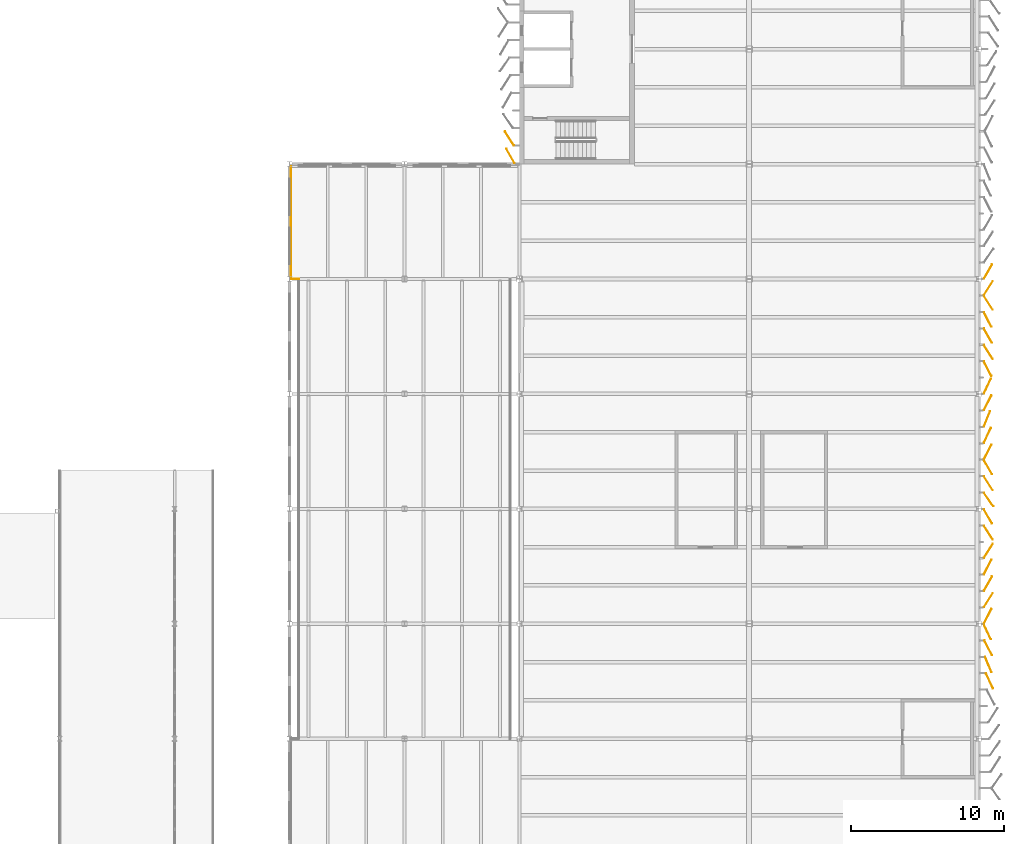
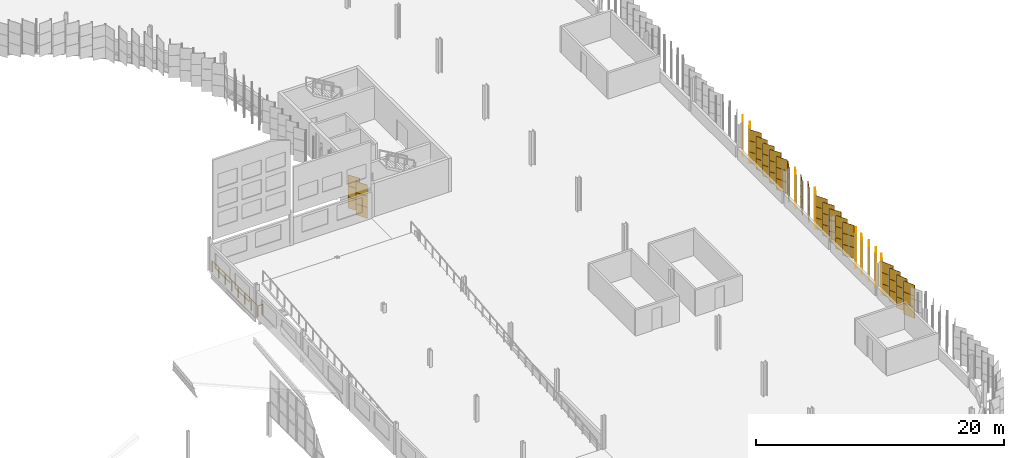
# One storey, part 190 of 199: 84 coverings, 1 railing.
"""IFC4 building model written with IfcOpenShell, lengths in metres."""

from ifc_helpers import new_model, si_unit, direction, frame, origin, origin_2d, place, context, subcontext, project, spatial, rectangle, circle, extrude, material, layer, layer_set, type_object, element, save


model = new_model("IFC4")

# Units and contexts
model_context = context("Model", 3, precision=1e-05, world=origin(), true_north=direction((0.0, 1.0)))
body_context = subcontext(model_context, "Body", "Model", "MODEL_VIEW")
ifc_project = project(units=[si_unit("LENGTHUNIT", "METRE"), si_unit("AREAUNIT", "SQUARE_METRE"), si_unit("VOLUMEUNIT", "CUBIC_METRE"), si_unit("PLANEANGLEUNIT", "RADIAN"), si_unit("MASSUNIT", "GRAM", prefix="KILO")], contexts=[model_context])

# Site, building, storey
site_placement = place(None, origin())
site = spatial("IfcSite", under=ifc_project, at=site_placement, CompositionType="ELEMENT")
building_placement = place(site_placement, origin())
building = spatial("IfcBuilding", under=site, at=building_placement, Name="Parallax Yard Mobility Hub", CompositionType="ELEMENT")
storey_placement = place(building_placement, frame((0.0, 0.0, 9.89990234375)))
storey = spatial("IfcBuildingStorey", under=building, at=storey_placement, Name="L03", CompositionType="ELEMENT", Elevation=9.89990234375)

# Railing
ifc_material_1 = material(Name="Steel ASTM A36", Category="steel")
railing_type = type_object("IfcRailingType", Name="Landing edge guard 1100", PredefinedType="GUARDRAIL", material=ifc_material_1)
railing_placement = place(storey_placement, frame((180.60009765625, 67.5, 0.0)))
element("IfcRailing", 1, at=railing_placement, inside=storey, type_object=railing_type, Name="Ramp house north landing west edge guard level L03", PredefinedType="GUARDRAIL", context=body_context, shape_type="SweptSolid", body=[
    extrude(circle(Radius=0.02392578125, at=origin_2d()), frame((0.0, 0.0, 1.076171875), z_axis=(-1.0, 0.0, 0.0), x_axis=(0.0, -1.0, 0.0)), (0.0, 0.0, 1.0), 0.5),
    extrude(circle(Radius=0.02392578125, at=origin_2d()), frame((-0.5, 0.0, 1.076171875), z_axis=(0.0, 1.0, 0.0), x_axis=(-1.0, 0.0, 0.0)), (0.0, 0.0, 1.0), 7.346435546875),
    extrude(circle(Radius=0.02099609375, at=origin_2d()), origin(), (0.0, 0.0, 1.0), 1.052001953125),
    extrude(circle(Radius=0.02099609375, at=origin_2d()), frame((-0.5, 0.0, 0.0)), (0.0, 0.0, 1.0), 1.052001953125),
    extrude(circle(Radius=0.02099609375, at=origin_2d()), frame((-0.5, 1.049560546875, 0.0)), (0.0, 0.0, 1.0), 1.052001953125),
    extrude(circle(Radius=0.02099609375, at=origin_2d()), frame((-0.5, 2.098876953125, 0.0)), (0.0, 0.0, 1.0), 1.052001953125),
    extrude(circle(Radius=0.02099609375, at=origin_2d()), frame((-0.5, 3.1484375, 0.0)), (0.0, 0.0, 1.0), 1.052001953125),
    extrude(circle(Radius=0.02099609375, at=origin_2d()), frame((-0.5, 4.197998046875, 0.0)), (0.0, 0.0, 1.0), 1.052001953125),
    extrude(circle(Radius=0.02099609375, at=origin_2d()), frame((-0.5, 5.24755859375, 0.0)), (0.0, 0.0, 1.0), 1.052001953125),
    extrude(circle(Radius=0.02099609375, at=origin_2d()), frame((-0.5, 6.296875, 0.0)), (0.0, 0.0, 1.0), 1.052001953125),
    extrude(circle(Radius=0.02099609375, at=origin_2d()), frame((-0.5, 7.346435546875, 0.0)), (0.0, 0.0, 1.0), 1.052001953125),
])

# Coverings
ifc_material_2 = material(Name="Aluminium panel, champagne finish", Category="aluminium")
ifc_layer_1 = layer(ifc_material_2, 0.030029296875)
ifc_layer_set_1 = layer_set([ifc_layer_1], Name="Skin panel 22.5 degree turn, champagne finish")
covering_type_1 = type_object("IfcCoveringType", Name="Skin panel 22.5 degree turn, champagne finish", PredefinedType="CLADDING", material=ifc_layer_set_1)
for number, where, z_axis, x_axis, name in (
    (2, (225.607421875, 42.332275390625, 0.02001953125), (0.0, 0.0, 1.0), (0.382683432365, -0.923879532511, 0.0), "Skin panel 22.5 bay 34.5 row 1 level L03"),
    (3, (225.512939453125, 58.364501953125, 0.02001953125), (0.0, 0.0, 1.0), (0.382683432365, 0.923879532511, 0.0), "Skin panel 22.5 bay 36.6 row 1 level L03"),
):
    element("IfcCovering", number, at=place(storey_placement, frame(where, z_axis=z_axis, x_axis=x_axis)), inside=storey, type_object=covering_type_1, Name=name, ObjectType="SCREEN", PredefinedType="CLADDING", context=body_context, shape_type="SweptSolid", body=[
        extrude(rectangle(XDim=1.080078125, YDim=0.030029296875, at=origin_2d()), origin(), (0.0, 0.0, 1.0), 1.080078125),
    ])
ifc_material_3 = material(Name="Aluminium panel, silver anodised", Category="aluminium")
ifc_layer_2 = layer(ifc_material_3, 0.030029296875)
ifc_layer_set_2 = layer_set([ifc_layer_2], Name="Skin panel 22.5 degree turn, silver anodised")
covering_type_2 = type_object("IfcCoveringType", Name="Skin panel 22.5 degree turn, silver anodised", PredefinedType="CLADDING", material=ifc_layer_set_2)
for number, where, z_axis, x_axis, name in (
    (4, (225.607421875, 42.332275390625, 1.1201171875), (0.0, 0.0, 1.0), (0.382683432365, -0.923879532511, 0.0), "Skin panel 22.5 bay 34.5 row 2 level L03"),
    (5, (225.607421875, 42.332275390625, 2.219970703125), (0.0, 0.0, 1.0), (0.382683432365, -0.923879532511, 0.0), "Skin panel 22.5 bay 34.5 row 3 level L03"),
    (6, (225.512939453125, 58.364501953125, 1.1201171875), (0.0, 0.0, 1.0), (0.382683432365, 0.923879532511, 0.0), "Skin panel 22.5 bay 36.6 row 2 level L03"),
    (7, (225.512939453125, 58.364501953125, 2.219970703125), (0.0, 0.0, 1.0), (0.382683432365, 0.923879532511, 0.0), "Skin panel 22.5 bay 36.6 row 3 level L03"),
):
    element("IfcCovering", number, at=place(storey_placement, frame(where, z_axis=z_axis, x_axis=x_axis)), inside=storey, type_object=covering_type_2, Name=name, ObjectType="SCREEN", PredefinedType="CLADDING", context=body_context, shape_type="SweptSolid", body=[
        extrude(rectangle(XDim=1.080078125, YDim=0.030029296875, at=origin_2d()), origin(), (0.0, 0.0, 1.0), 1.080078125),
    ])
ifc_layer_3 = layer(ifc_material_2, 0.030029296875)
ifc_layer_set_3 = layer_set([ifc_layer_3], Name="Skin panel 25 degree turn, champagne finish")
covering_type_3 = type_object("IfcCoveringType", Name="Skin panel 25 degree turn, champagne finish", PredefinedType="CLADDING", material=ifc_layer_set_3)
for number, where, z_axis, x_axis, name in (
    (8, (225.683349609375, 41.270263671875, 0.02001953125), (0.0, 0.0, 1.0), (0.422618261741, -0.906307787037, 0.0), "Skin panel 25 bay 34.4 row 1 level L03"),
    (9, (225.53515625, 44.485595703125, 0.02001953125), (0.0, 0.0, 1.0), (0.422618261741, -0.906307787037, 0.0), "Skin panel 25 bay 34.7 row 1 level L03"),
    (10, (225.53515625, 57.282958984375, 0.02001953125), (0.0, 0.0, 1.0), (0.422618261741, 0.906307787037, 0.0), "Skin panel 25 bay 36.5 row 1 level L03"),
    (11, (225.53515625, 60.498291015625, 0.02001953125), (0.0, 0.0, 1.0), (0.422618261741, 0.906307787037, 0.0), "Skin panel 25 bay 37.1 row 1 level L03"),
):
    element("IfcCovering", number, at=place(storey_placement, frame(where, z_axis=z_axis, x_axis=x_axis)), inside=storey, type_object=covering_type_3, Name=name, ObjectType="SCREEN", PredefinedType="CLADDING", context=body_context, shape_type="SweptSolid", body=[
        extrude(rectangle(XDim=1.080078125, YDim=0.030029296875, at=origin_2d()), origin(), (0.0, 0.0, 1.0), 1.080078125),
    ])
ifc_layer_4 = layer(ifc_material_3, 0.030029296875)
ifc_layer_set_4 = layer_set([ifc_layer_4], Name="Skin panel 25 degree turn, silver anodised")
covering_type_4 = type_object("IfcCoveringType", Name="Skin panel 25 degree turn, silver anodised", PredefinedType="CLADDING", material=ifc_layer_set_4)
for number, where, z_axis, x_axis, name in (
    (12, (225.683349609375, 41.270263671875, 1.1201171875), (0.0, 0.0, 1.0), (0.422618261741, -0.906307787037, 0.0), "Skin panel 25 bay 34.4 row 2 level L03"),
    (13, (225.683349609375, 41.270263671875, 2.219970703125), (0.0, 0.0, 1.0), (0.422618261741, -0.906307787037, 0.0), "Skin panel 25 bay 34.4 row 3 level L03"),
    (14, (225.53515625, 44.485595703125, 1.1201171875), (0.0, 0.0, 1.0), (0.422618261741, -0.906307787037, 0.0), "Skin panel 25 bay 34.7 row 2 level L03"),
    (15, (225.53515625, 44.485595703125, 2.219970703125), (0.0, 0.0, 1.0), (0.422618261741, -0.906307787037, 0.0), "Skin panel 25 bay 34.7 row 3 level L03"),
    (16, (225.53515625, 57.282958984375, 1.1201171875), (0.0, 0.0, 1.0), (0.422618261741, 0.906307787037, 0.0), "Skin panel 25 bay 36.5 row 2 level L03"),
    (17, (225.53515625, 57.282958984375, 2.219970703125), (0.0, 0.0, 1.0), (0.422618261741, 0.906307787037, 0.0), "Skin panel 25 bay 36.5 row 3 level L03"),
    (18, (225.53515625, 60.498291015625, 1.1201171875), (0.0, 0.0, 1.0), (0.422618261741, 0.906307787037, 0.0), "Skin panel 25 bay 37.1 row 2 level L03"),
    (19, (225.53515625, 60.498291015625, 2.219970703125), (0.0, 0.0, 1.0), (0.422618261741, 0.906307787037, 0.0), "Skin panel 25 bay 37.1 row 3 level L03"),
):
    element("IfcCovering", number, at=place(storey_placement, frame(where, z_axis=z_axis, x_axis=x_axis)), inside=storey, type_object=covering_type_4, Name=name, ObjectType="SCREEN", PredefinedType="CLADDING", context=body_context, shape_type="SweptSolid", body=[
        extrude(rectangle(XDim=1.080078125, YDim=0.030029296875, at=origin_2d()), origin(), (0.0, 0.0, 1.0), 1.080078125),
    ])
ifc_layer_5 = layer(ifc_material_2, 0.030029296875)
ifc_layer_set_5 = layer_set([ifc_layer_5], Name="Skin panel 27.5 degree turn, champagne finish")
covering_type_5 = type_object("IfcCoveringType", Name="Skin panel 27.5 degree turn, champagne finish", PredefinedType="CLADDING", material=ifc_layer_set_5)
for number, where, z_axis, x_axis, name in (
    (20, (225.597900390625, 43.424560546875, 0.02001953125), (0.0, 0.0, 1.0), (0.461748613235, -0.887010833178, 0.0), "Skin panel 27.5 bay 34.6 row 1 level L03"),
    (21, (225.556884765625, 45.483154296875, 0.02001953125), (0.0, 0.0, 1.0), (0.461748613235, 0.887010833178, 0.0), "Skin panel 27.5 bay 35.1 row 1 level L03"),
    (22, (225.556884765625, 48.698486328125, 0.02001953125), (0.0, 0.0, 1.0), (0.461748613235, 0.887010833178, 0.0), "Skin panel 27.5 bay 35.4 row 1 level L03"),
    (23, (225.556884765625, 56.200439453125, 0.02001953125), (0.0, 0.0, 1.0), (0.461748613235, 0.887010833178, 0.0), "Skin panel 27.5 bay 36.4 row 1 level L03"),
    (24, (225.556884765625, 59.415771484375, 0.02001953125), (0.0, 0.0, 1.0), (0.461748613235, 0.887010833178, 0.0), "Skin panel 27.5 bay 36.7 row 1 level L03"),
    (25, (225.556884765625, 61.64404296875, 0.02001953125), (0.0, 0.0, 1.0), (0.461748613235, -0.887010833178, 0.0), "Skin panel 27.5 bay 37.2 row 1 level L03"),
    (26, (225.556884765625, 64.859130859375, 0.02001953125), (0.0, 0.0, 1.0), (0.461748613235, -0.887010833178, 0.0), "Skin panel 27.5 bay 37.5 row 1 level L03"),
):
    element("IfcCovering", number, at=place(storey_placement, frame(where, z_axis=z_axis, x_axis=x_axis)), inside=storey, type_object=covering_type_5, Name=name, ObjectType="SCREEN", PredefinedType="CLADDING", context=body_context, shape_type="SweptSolid", body=[
        extrude(rectangle(XDim=1.080078125, YDim=0.030029296875, at=origin_2d()), origin(), (0.0, 0.0, 1.0), 1.080078125),
    ])
ifc_layer_6 = layer(ifc_material_3, 0.030029296875)
ifc_layer_set_6 = layer_set([ifc_layer_6], Name="Skin panel 27.5 degree turn, silver anodised")
covering_type_6 = type_object("IfcCoveringType", Name="Skin panel 27.5 degree turn, silver anodised", PredefinedType="CLADDING", material=ifc_layer_set_6)
for number, where, z_axis, x_axis, name in (
    (27, (225.597900390625, 43.424560546875, 1.1201171875), (0.0, 0.0, 1.0), (0.461748613235, -0.887010833178, 0.0), "Skin panel 27.5 bay 34.6 row 2 level L03"),
    (28, (225.597900390625, 43.424560546875, 2.219970703125), (0.0, 0.0, 1.0), (0.461748613235, -0.887010833178, 0.0), "Skin panel 27.5 bay 34.6 row 3 level L03"),
    (29, (225.556884765625, 45.483154296875, 1.1201171875), (0.0, 0.0, 1.0), (0.461748613235, 0.887010833178, 0.0), "Skin panel 27.5 bay 35.1 row 2 level L03"),
    (30, (225.556884765625, 45.483154296875, 2.219970703125), (0.0, 0.0, 1.0), (0.461748613235, 0.887010833178, 0.0), "Skin panel 27.5 bay 35.1 row 3 level L03"),
    (31, (225.556884765625, 48.698486328125, 1.1201171875), (0.0, 0.0, 1.0), (0.461748613235, 0.887010833178, 0.0), "Skin panel 27.5 bay 35.4 row 2 level L03"),
    (32, (225.556884765625, 48.698486328125, 2.219970703125), (0.0, 0.0, 1.0), (0.461748613235, 0.887010833178, 0.0), "Skin panel 27.5 bay 35.4 row 3 level L03"),
    (33, (225.556884765625, 56.200439453125, 1.1201171875), (0.0, 0.0, 1.0), (0.461748613235, 0.887010833178, 0.0), "Skin panel 27.5 bay 36.4 row 2 level L03"),
    (34, (225.556884765625, 56.200439453125, 2.219970703125), (0.0, 0.0, 1.0), (0.461748613235, 0.887010833178, 0.0), "Skin panel 27.5 bay 36.4 row 3 level L03"),
    (35, (225.556884765625, 59.415771484375, 1.1201171875), (0.0, 0.0, 1.0), (0.461748613235, 0.887010833178, 0.0), "Skin panel 27.5 bay 36.7 row 2 level L03"),
    (36, (225.556884765625, 59.415771484375, 2.219970703125), (0.0, 0.0, 1.0), (0.461748613235, 0.887010833178, 0.0), "Skin panel 27.5 bay 36.7 row 3 level L03"),
    (37, (225.556884765625, 61.64404296875, 1.1201171875), (0.0, 0.0, 1.0), (0.461748613235, -0.887010833178, 0.0), "Skin panel 27.5 bay 37.2 row 2 level L03"),
    (38, (225.556884765625, 61.64404296875, 2.219970703125), (0.0, 0.0, 1.0), (0.461748613235, -0.887010833178, 0.0), "Skin panel 27.5 bay 37.2 row 3 level L03"),
    (39, (225.556884765625, 64.859130859375, 1.1201171875), (0.0, 0.0, 1.0), (0.461748613235, -0.887010833178, 0.0), "Skin panel 27.5 bay 37.5 row 2 level L03"),
    (40, (225.556884765625, 64.859130859375, 2.219970703125), (0.0, 0.0, 1.0), (0.461748613235, -0.887010833178, 0.0), "Skin panel 27.5 bay 37.5 row 3 level L03"),
):
    element("IfcCovering", number, at=place(storey_placement, frame(where, z_axis=z_axis, x_axis=x_axis)), inside=storey, type_object=covering_type_6, Name=name, ObjectType="SCREEN", PredefinedType="CLADDING", context=body_context, shape_type="SweptSolid", body=[
        extrude(rectangle(XDim=1.080078125, YDim=0.030029296875, at=origin_2d()), origin(), (0.0, 0.0, 1.0), 1.080078125),
    ])
ifc_layer_7 = layer(ifc_material_2, 0.030029296875)
ifc_layer_set_7 = layer_set([ifc_layer_7], Name="Skin panel 30 degree turn, champagne finish")
covering_type_7 = type_object("IfcCoveringType", Name="Skin panel 30 degree turn, champagne finish", PredefinedType="CLADDING", material=ifc_layer_set_7)
for number, where, z_axis, x_axis, name in (
    (41, (225.578125, 47.614990234375, 0.02001953125), (0.0, 0.0, 1.0), (0.5, 0.866025403784, 0.0), "Skin panel 30 bay 35.3 row 1 level L03"),
    (42, (225.578125, 52.010009765625, 0.02001953125), (0.0, 0.0, 1.0), (0.5, -0.866025403784, 0.0), "Skin panel 30 bay 35.7 row 1 level L03"),
    (43, (225.578125, 55.22509765625, 0.02001953125), (0.0, 0.0, 1.0), (0.5, -0.866025403784, 0.0), "Skin panel 30 bay 36.3 row 1 level L03"),
    (44, (225.578125, 63.799072265625, 0.02001953125), (0.0, 0.0, 1.0), (0.5, -0.866025403784, 0.0), "Skin panel 30 bay 37.4 row 1 level L03"),
    (45, (225.578125, 67.977783203125, 0.02001953125), (0.0, 0.0, 1.0), (0.5, 0.866025403784, 0.0), "Skin panel 30 bay 38.1 row 1 level L03"),
    (46, (194.421875, 75.529052734375, 0.02001953125), (0.0, 0.0, 1.0), (-0.5, 0.866025403784, 0.0), "Skin panel 30 bay 23.13 row 1 level L03"),
):
    element("IfcCovering", number, at=place(storey_placement, frame(where, z_axis=z_axis, x_axis=x_axis)), inside=storey, type_object=covering_type_7, Name=name, ObjectType="SCREEN", PredefinedType="CLADDING", context=body_context, shape_type="SweptSolid", body=[
        extrude(rectangle(XDim=1.080078125, YDim=0.030029296875, at=origin_2d()), origin(), (0.0, 0.0, 1.0), 1.080078125),
    ])
ifc_layer_8 = layer(ifc_material_3, 0.030029296875)
ifc_layer_set_8 = layer_set([ifc_layer_8], Name="Skin panel 30 degree turn, silver anodised")
covering_type_8 = type_object("IfcCoveringType", Name="Skin panel 30 degree turn, silver anodised", PredefinedType="CLADDING", material=ifc_layer_set_8)
for number, where, z_axis, x_axis, name in (
    (47, (225.578125, 47.614990234375, 1.1201171875), (0.0, 0.0, 1.0), (0.5, 0.866025403784, 0.0), "Skin panel 30 bay 35.3 row 2 level L03"),
    (48, (225.578125, 47.614990234375, 2.219970703125), (0.0, 0.0, 1.0), (0.5, 0.866025403784, 0.0), "Skin panel 30 bay 35.3 row 3 level L03"),
    (49, (225.578125, 52.010009765625, 1.1201171875), (0.0, 0.0, 1.0), (0.5, -0.866025403784, 0.0), "Skin panel 30 bay 35.7 row 2 level L03"),
    (50, (225.578125, 52.010009765625, 2.219970703125), (0.0, 0.0, 1.0), (0.5, -0.866025403784, 0.0), "Skin panel 30 bay 35.7 row 3 level L03"),
    (51, (225.578125, 55.22509765625, 1.1201171875), (0.0, 0.0, 1.0), (0.5, -0.866025403784, 0.0), "Skin panel 30 bay 36.3 row 2 level L03"),
    (52, (225.578125, 55.22509765625, 2.219970703125), (0.0, 0.0, 1.0), (0.5, -0.866025403784, 0.0), "Skin panel 30 bay 36.3 row 3 level L03"),
    (53, (225.578125, 63.799072265625, 1.1201171875), (0.0, 0.0, 1.0), (0.5, -0.866025403784, 0.0), "Skin panel 30 bay 37.4 row 2 level L03"),
    (54, (225.578125, 63.799072265625, 2.219970703125), (0.0, 0.0, 1.0), (0.5, -0.866025403784, 0.0), "Skin panel 30 bay 37.4 row 3 level L03"),
    (55, (225.578125, 67.977783203125, 1.1201171875), (0.0, 0.0, 1.0), (0.5, 0.866025403784, 0.0), "Skin panel 30 bay 38.1 row 2 level L03"),
    (56, (225.578125, 67.977783203125, 2.219970703125), (0.0, 0.0, 1.0), (0.5, 0.866025403784, 0.0), "Skin panel 30 bay 38.1 row 3 level L03"),
    (57, (194.421875, 75.529052734375, 1.1201171875), (0.0, 0.0, 1.0), (-0.5, 0.866025403784, 0.0), "Skin panel 30 bay 23.13 row 2 level L03"),
    (58, (194.421875, 75.529052734375, 2.219970703125), (0.0, 0.0, 1.0), (-0.5, 0.866025403784, 0.0), "Skin panel 30 bay 23.13 row 3 level L03"),
):
    element("IfcCovering", number, at=place(storey_placement, frame(where, z_axis=z_axis, x_axis=x_axis)), inside=storey, type_object=covering_type_8, Name=name, ObjectType="SCREEN", PredefinedType="CLADDING", context=body_context, shape_type="SweptSolid", body=[
        extrude(rectangle(XDim=1.080078125, YDim=0.030029296875, at=origin_2d()), origin(), (0.0, 0.0, 1.0), 1.080078125),
    ])
ifc_layer_9 = layer(ifc_material_2, 0.030029296875)
ifc_layer_set_9 = layer_set([ifc_layer_9], Name="Skin panel 32.5 degree turn, champagne finish")
covering_type_9 = type_object("IfcCoveringType", Name="Skin panel 32.5 degree turn, champagne finish", PredefinedType="CLADDING", material=ifc_layer_set_9)
for number, where, z_axis, x_axis, name in (
    (59, (225.598876953125, 46.53076171875, 0.02001953125), (0.0, 0.0, 1.0), (0.537299608347, 0.843391445813, 0.0), "Skin panel 32.5 bay 35.2 row 1 level L03"),
    (60, (225.598876953125, 49.745849609375, 0.02001953125), (0.0, 0.0, 1.0), (0.537299608347, 0.843391445813, 0.0), "Skin panel 32.5 bay 35.5 row 1 level L03"),
    (61, (225.598876953125, 50.950927734375, 0.02001953125), (0.0, 0.0, 1.0), (0.537299608347, -0.843391445813, 0.0), "Skin panel 32.5 bay 35.6 row 1 level L03"),
    (62, (225.598876953125, 54.166015625, 0.02001953125), (0.0, 0.0, 1.0), (0.537299608347, -0.843391445813, 0.0), "Skin panel 32.5 bay 36.2 row 1 level L03"),
    (63, (225.598876953125, 62.739990234375, 0.02001953125), (0.0, 0.0, 1.0), (0.537299608347, -0.843391445813, 0.0), "Skin panel 32.5 bay 37.3 row 1 level L03"),
    (64, (225.598876953125, 65.955078125, 0.02001953125), (0.0, 0.0, 1.0), (0.537299608347, -0.843391445813, 0.0), "Skin panel 32.5 bay 37.6 row 1 level L03"),
    (65, (225.598876953125, 66.8935546875, 0.02001953125), (0.0, 0.0, 1.0), (0.537299608347, 0.843391445813, 0.0), "Skin panel 32.5 bay 37.7 row 1 level L03"),
    (66, (194.353271484375, 76.66650390625, 0.02001953125), (0.0, 0.0, 1.0), (-0.537299608347, 0.843391445813, 0.0), "Skin panel 32.5 bay 23.12 row 1 level L03"),
):
    element("IfcCovering", number, at=place(storey_placement, frame(where, z_axis=z_axis, x_axis=x_axis)), inside=storey, type_object=covering_type_9, Name=name, ObjectType="SCREEN", PredefinedType="CLADDING", context=body_context, shape_type="SweptSolid", body=[
        extrude(rectangle(XDim=1.080078125, YDim=0.030029296875, at=origin_2d()), origin(), (0.0, 0.0, 1.0), 1.080078125),
    ])
ifc_layer_10 = layer(ifc_material_3, 0.030029296875)
ifc_layer_set_10 = layer_set([ifc_layer_10], Name="Skin panel 32.5 degree turn, silver anodised")
covering_type_10 = type_object("IfcCoveringType", Name="Skin panel 32.5 degree turn, silver anodised", PredefinedType="CLADDING", material=ifc_layer_set_10)
for number, where, z_axis, x_axis, name in (
    (67, (225.598876953125, 46.53076171875, 1.1201171875), (0.0, 0.0, 1.0), (0.537299608347, 0.843391445813, 0.0), "Skin panel 32.5 bay 35.2 row 2 level L03"),
    (68, (225.598876953125, 46.53076171875, 2.219970703125), (0.0, 0.0, 1.0), (0.537299608347, 0.843391445813, 0.0), "Skin panel 32.5 bay 35.2 row 3 level L03"),
    (69, (225.598876953125, 49.745849609375, 1.1201171875), (0.0, 0.0, 1.0), (0.537299608347, 0.843391445813, 0.0), "Skin panel 32.5 bay 35.5 row 2 level L03"),
    (70, (225.598876953125, 49.745849609375, 2.219970703125), (0.0, 0.0, 1.0), (0.537299608347, 0.843391445813, 0.0), "Skin panel 32.5 bay 35.5 row 3 level L03"),
    (71, (225.598876953125, 50.950927734375, 1.1201171875), (0.0, 0.0, 1.0), (0.537299608347, -0.843391445813, 0.0), "Skin panel 32.5 bay 35.6 row 2 level L03"),
    (72, (225.598876953125, 50.950927734375, 2.219970703125), (0.0, 0.0, 1.0), (0.537299608347, -0.843391445813, 0.0), "Skin panel 32.5 bay 35.6 row 3 level L03"),
    (73, (225.598876953125, 54.166015625, 1.1201171875), (0.0, 0.0, 1.0), (0.537299608347, -0.843391445813, 0.0), "Skin panel 32.5 bay 36.2 row 2 level L03"),
    (74, (225.598876953125, 54.166015625, 2.219970703125), (0.0, 0.0, 1.0), (0.537299608347, -0.843391445813, 0.0), "Skin panel 32.5 bay 36.2 row 3 level L03"),
    (75, (225.598876953125, 62.739990234375, 1.1201171875), (0.0, 0.0, 1.0), (0.537299608347, -0.843391445813, 0.0), "Skin panel 32.5 bay 37.3 row 2 level L03"),
    (76, (225.598876953125, 62.739990234375, 2.219970703125), (0.0, 0.0, 1.0), (0.537299608347, -0.843391445813, 0.0), "Skin panel 32.5 bay 37.3 row 3 level L03"),
    (77, (225.598876953125, 65.955078125, 1.1201171875), (0.0, 0.0, 1.0), (0.537299608347, -0.843391445813, 0.0), "Skin panel 32.5 bay 37.6 row 2 level L03"),
    (78, (225.598876953125, 65.955078125, 2.219970703125), (0.0, 0.0, 1.0), (0.537299608347, -0.843391445813, 0.0), "Skin panel 32.5 bay 37.6 row 3 level L03"),
    (79, (225.598876953125, 66.8935546875, 1.1201171875), (0.0, 0.0, 1.0), (0.537299608347, 0.843391445813, 0.0), "Skin panel 32.5 bay 37.7 row 2 level L03"),
    (80, (225.598876953125, 66.8935546875, 2.219970703125), (0.0, 0.0, 1.0), (0.537299608347, 0.843391445813, 0.0), "Skin panel 32.5 bay 37.7 row 3 level L03"),
    (81, (194.353271484375, 76.66650390625, 1.1201171875), (0.0, 0.0, 1.0), (-0.537299608347, 0.843391445813, 0.0), "Skin panel 32.5 bay 23.12 row 2 level L03"),
    (82, (194.353271484375, 76.66650390625, 2.219970703125), (0.0, 0.0, 1.0), (-0.537299608347, 0.843391445813, 0.0), "Skin panel 32.5 bay 23.12 row 3 level L03"),
):
    element("IfcCovering", number, at=place(storey_placement, frame(where, z_axis=z_axis, x_axis=x_axis)), inside=storey, type_object=covering_type_10, Name=name, ObjectType="SCREEN", PredefinedType="CLADDING", context=body_context, shape_type="SweptSolid", body=[
        extrude(rectangle(XDim=1.080078125, YDim=0.030029296875, at=origin_2d()), origin(), (0.0, 0.0, 1.0), 1.080078125),
    ])
ifc_layer_11 = layer(ifc_material_2, 0.030029296875)
ifc_layer_set_11 = layer_set([ifc_layer_11], Name="Skin panel 35 degree turn, champagne finish")
covering_type_11 = type_object("IfcCoveringType", Name="Skin panel 35 degree turn, champagne finish", PredefinedType="CLADDING", material=ifc_layer_set_11)
covering_placement = place(storey_placement, frame((225.619140625, 53.10791015625, 0.02001953125), z_axis=(0.0, 0.0, 1.0), x_axis=(0.573576436351, -0.819152044289, 0.0)))
element("IfcCovering", 83, at=covering_placement, inside=storey, type_object=covering_type_11, Name="Skin panel 35 bay 36.1 row 1 level L03", ObjectType="SCREEN", PredefinedType="CLADDING", context=body_context, shape_type="SweptSolid", body=[
    extrude(rectangle(XDim=1.080078125, YDim=0.030029296875, at=origin_2d()), origin(), (0.0, 0.0, 1.0), 1.080078125),
])
ifc_layer_12 = layer(ifc_material_3, 0.030029296875)
ifc_layer_set_12 = layer_set([ifc_layer_12], Name="Skin panel 35 degree turn, silver anodised")
covering_type_12 = type_object("IfcCoveringType", Name="Skin panel 35 degree turn, silver anodised", PredefinedType="CLADDING", material=ifc_layer_set_12)
for number, where, z_axis, x_axis, name in (
    (84, (225.619140625, 53.10791015625, 1.1201171875), (0.0, 0.0, 1.0), (0.573576436351, -0.819152044289, 0.0), "Skin panel 35 bay 36.1 row 2 level L03"),
    (85, (225.619140625, 53.10791015625, 2.219970703125), (0.0, 0.0, 1.0), (0.573576436351, -0.819152044289, 0.0), "Skin panel 35 bay 36.1 row 3 level L03"),
):
    element("IfcCovering", number, at=place(storey_placement, frame(where, z_axis=z_axis, x_axis=x_axis)), inside=storey, type_object=covering_type_12, Name=name, ObjectType="SCREEN", PredefinedType="CLADDING", context=body_context, shape_type="SweptSolid", body=[
        extrude(rectangle(XDim=1.080078125, YDim=0.030029296875, at=origin_2d()), origin(), (0.0, 0.0, 1.0), 1.080078125),
    ])

save(model, "model.ifc")
